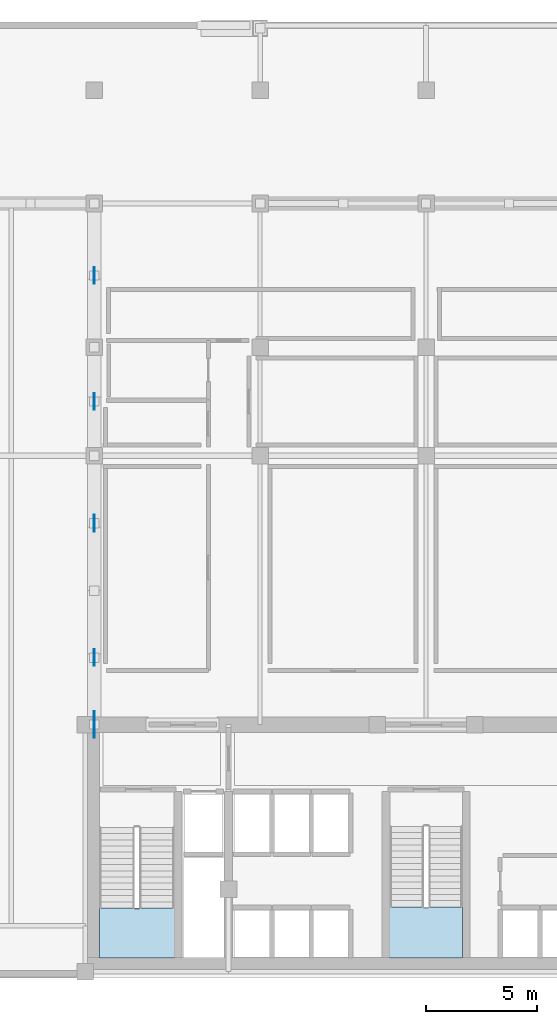
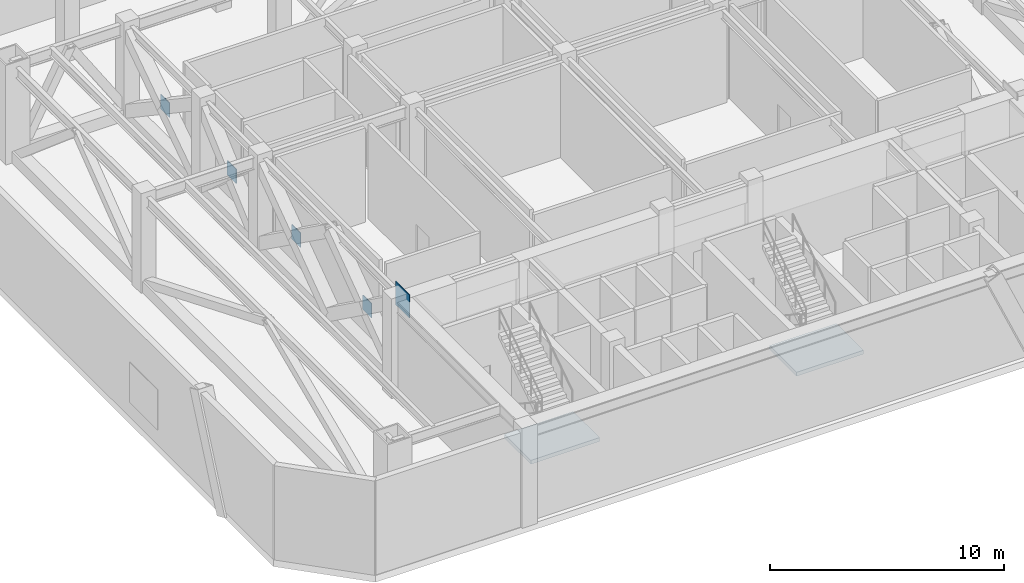
# One storey, part 3 of 10: 5 plates, 2 slabs, 2 elements without a shape of their own.
"""IFC4 building model written with IfcOpenShell, lengths in metres."""

import ifcopenshell
import ifcopenshell.guid

model = None  # the IFC model being written
_history = None  # IfcOwnerHistory: only IFC2X3 demands one
_inside = {}  # id of a spatial element -> (the spatial element, [elements in it])
_under = {}  # id of a project, library or spatial element -> (it, [spatial elements below it])
_declared = {}  # id of a project -> (the project, [libraries it declares])
_typed = {}  # id of a type object -> (the type object, [elements of that type])
_made_of = {}  # id of a material, layer set ... -> (it, [elements and type objects made of it])


def new_model(schema):
    """Start an empty IFC model of exactly this schema.

    Asked for "IFC4X3", IfcOpenShell would pick the latest addendum, in which some entities
    have other attributes; the version numbers below select the first issue.
    IFC2X3 requires an IfcOwnerHistory on every rooted entity: one is made here for all.
    """
    global model, _history
    if schema == "IFC4X3":
        model = ifcopenshell.file(schema_version=(4, 3, 0, 0))
    else:
        model = ifcopenshell.file(schema=schema)
    _inside.clear()
    _under.clear()
    _declared.clear()
    _typed.clear()
    _made_of.clear()
    _history = None
    if model.schema == "IFC2X3":
        org = make("IfcOrganization", Name="unknown")
        user = make(
            "IfcPersonAndOrganization",
            ThePerson=make("IfcPerson", FamilyName="unknown"),
            TheOrganization=org,
        )
        app = make(
            "IfcApplication",
            ApplicationDeveloper=org,
            Version="unknown",
            ApplicationFullName="unknown",
            ApplicationIdentifier="unknown",
        )
        _history = make(
            "IfcOwnerHistory",
            OwningUser=user,
            OwningApplication=app,
            ChangeAction="ADDED",
            CreationDate=0,
        )
    return model


def make(cls, **values):
    """One entity of the class cls with the attributes given. An attribute that is None is left unset."""
    return model.create_entity(
        cls, **{name: value for name, value in values.items() if value is not None}
    )


def rooted(cls, **values):
    """An entity with a GlobalId (a new one), such as an element, a storey or a relation."""
    return make(cls, GlobalId=ifcopenshell.guid.new(), OwnerHistory=_history, **values)


def si_unit(unit_type, name, prefix=None):
    """IfcSIUnit, for example si_unit("LENGTHUNIT", "METRE", prefix="MILLI")."""
    return make("IfcSIUnit", UnitType=unit_type, Prefix=prefix, Name=name)


def assignment(units):
    """IfcUnitAssignment: the units of a project."""
    return None if units is None else make("IfcUnitAssignment", Units=units)


def point(xyz):
    """IfcCartesianPoint."""
    return None if xyz is None else make("IfcCartesianPoint", Coordinates=xyz)


def direction(xyz):
    """IfcDirection."""
    return None if xyz is None else make("IfcDirection", DirectionRatios=xyz)


def frame(location, z_axis=None, x_axis=None):
    """IfcAxis2Placement3D, a coordinate frame: its origin and axes. An axis left out is left unset."""
    return make(
        "IfcAxis2Placement3D",
        Location=point(location),
        Axis=direction(z_axis),
        RefDirection=direction(x_axis),
    )


def frame_2d(location, x_axis=None):
    """IfcAxis2Placement2D, a coordinate frame in the plane: its origin and x axis."""
    return make(
        "IfcAxis2Placement2D", Location=point(location), RefDirection=direction(x_axis)
    )


def origin():
    """The frame at (0, 0, 0) with its axes left unset."""
    return frame((0.0, 0.0, 0.0))


def origin_2d():
    """The frame at (0, 0) in the plane with its x axis left unset."""
    return frame_2d((0.0, 0.0))


def place(relative_to, where):
    """IfcLocalPlacement: puts the frame where relative to a parent placement (None: the world)."""
    return make(
        "IfcLocalPlacement", PlacementRelTo=relative_to, RelativePlacement=where
    )


def context(
    kind, dimensions, precision=None, world=None, true_north=None, identifier=None
):
    """IfcGeometricRepresentationContext, for example the 3D "Model" context."""
    return make(
        "IfcGeometricRepresentationContext",
        ContextIdentifier=identifier,
        ContextType=kind,
        CoordinateSpaceDimension=dimensions,
        Precision=precision,
        WorldCoordinateSystem=world,
        TrueNorth=true_north,
    )


def subcontext(parent, identifier, kind, view, scale=None):
    """IfcGeometricRepresentationSubContext, for example "Body" below "Model"."""
    return make(
        "IfcGeometricRepresentationSubContext",
        ContextIdentifier=identifier,
        ContextType=kind,
        ParentContext=parent,
        TargetScale=scale,
        TargetView=view,
    )


def project(units=None, contexts=None):
    """IfcProject with its units and contexts."""
    return rooted(
        "IfcProject",
        Name="project",
        RepresentationContexts=contexts,
        UnitsInContext=assignment(units),
    )


def spatial(cls, under=None, at=None, **own):
    """A site, building, storey or space (cls), placed at a placement, below another one or the project."""
    s = rooted(cls, ObjectPlacement=at, **own)
    if under is not None:
        _under.setdefault(under.id(), (under, []))[1].append(s)
    return s


def polyline(points):
    """IfcPolyline through the points."""
    return make("IfcPolyline", Points=[point(p) for p in points])


def profile(cls, at=None, kind="AREA", **sizes):
    """A parametric profile (cls). Its sizes go by their IFC names, for example OverallWidth=200.0."""
    return make(cls, ProfileType=kind, Position=at, **sizes)


def rectangle(**sizes):
    """IfcRectangleProfileDef."""
    return profile("IfcRectangleProfileDef", **sizes)


def outline(outer, holes=None, kind="AREA"):
    """IfcArbitraryClosedProfileDef: a profile drawn as a closed curve; with holes, ...WithVoids."""
    if holes is None:
        return make("IfcArbitraryClosedProfileDef", ProfileType=kind, OuterCurve=outer)
    return make(
        "IfcArbitraryProfileDefWithVoids",
        ProfileType=kind,
        OuterCurve=outer,
        InnerCurves=holes,
    )


def extrude(swept, where, along, depth):
    """IfcExtrudedAreaSolid: the profile swept, set in the frame where, extruded along a direction by depth."""
    return make(
        "IfcExtrudedAreaSolid",
        SweptArea=swept,
        Position=where,
        ExtrudedDirection=direction(along),
        Depth=depth,
    )


def shape(context_of_items, identifier, shape_type, items):
    """IfcShapeRepresentation: the items that make up one representation, for example the "Body"."""
    return make(
        "IfcShapeRepresentation",
        ContextOfItems=context_of_items,
        RepresentationIdentifier=identifier,
        RepresentationType=shape_type,
        Items=items,
    )


def material(Name=None, Category=None):
    """IfcMaterial."""
    return make("IfcMaterial", Name=Name, Category=Category)


def layer(
    of_material, thickness, ventilated=None, Name=None, Category=None, Priority=None
):
    """IfcMaterialLayer: one layer of a wall or slab, of a material (None: an air gap)."""
    return make(
        "IfcMaterialLayer",
        Material=of_material,
        LayerThickness=thickness,
        IsVentilated=ventilated,
        Name=Name,
        Category=Category,
        Priority=Priority,
    )


def layer_set(layers, Name=None):
    """IfcMaterialLayerSet."""
    return make("IfcMaterialLayerSet", MaterialLayers=layers, LayerSetName=Name)


def made_of(thing, what):
    """Note that an element or type object is made of a material, layer set ...; save() writes the relation."""
    if what is not None:
        _made_of.setdefault(what.id(), (what, []))[1].append(thing)
    return thing


def type_object(cls, material=None, **own):
    """A type object (cls), such as IfcWallType, which elements share."""
    return made_of(rooted(cls, **own), material)


def element(
    cls,
    number,
    at=None,
    inside=None,
    cuts=None,
    type_object=None,
    material=None,
    context=None,
    identifier="Body",
    shape_type=None,
    held_by="IfcProductDefinitionShape",
    body=None,
    shapes=None,
    **own,
):
    """One element of the class cls, such as IfcWall. Its Tag is "e" and its number.

    at: its placement. inside: the storey or other place that contains it. cuts: it is an
    opening in that element (IfcRelVoidsElement). A single representation is given by context,
    identifier, shape_type and body (its items); several are given by shapes. held_by: the class
    of the entity that holds the representations. save() writes the other relations.
    """
    e = rooted(cls, Tag="e%d" % number, ObjectPlacement=at, **own)
    if body is not None:
        shapes = [shape(context, identifier, shape_type, body)]
    if shapes is not None:
        e.Representation = make(held_by, Representations=shapes)
    if inside is not None:
        _inside.setdefault(inside.id(), (inside, []))[1].append(e)
    if cuts is not None:
        rooted(
            "IfcRelVoidsElement", RelatingBuildingElement=cuts, RelatedOpeningElement=e
        )
    if type_object is not None:
        _typed.setdefault(type_object.id(), (type_object, []))[1].append(e)
    return made_of(e, material)


def aggregate(whole, parts):
    """IfcRelAggregates: a whole, such as a stair, and the parts it consists of."""
    return rooted("IfcRelAggregates", RelatingObject=whole, RelatedObjects=parts)


def save(model, path):
    """Write the relations noted so far, then the file.

    IfcRelAggregates (storeys below a building ...), IfcRelContainedInSpatialStructure (elements
    in a storey), IfcRelDefinesByType, IfcRelAssociatesMaterial and IfcRelDeclares: one each for
    every whole, place, type object, material and project.
    """
    for whole, parts in _under.values():
        aggregate(whole, parts)
    for where, things in _inside.values():
        rooted(
            "IfcRelContainedInSpatialStructure",
            RelatedElements=things,
            RelatingStructure=where,
        )
    for kind, things in _typed.values():
        rooted("IfcRelDefinesByType", RelatedObjects=things, RelatingType=kind)
    for what, things in _made_of.values():
        rooted("IfcRelAssociatesMaterial", RelatedObjects=things, RelatingMaterial=what)
    for by, libraries in _declared.values():
        rooted("IfcRelDeclares", RelatingContext=by, RelatedDefinitions=libraries)
    model.write(path)


model = new_model("IFC4")

# Units and contexts
model_context = context("Model", 3, precision=1e-05, world=origin(), true_north=direction((0.0, 1.0)))
body_context = subcontext(model_context, "Body", "Model", "MODEL_VIEW")
ifc_project = project(units=[si_unit("LENGTHUNIT", "METRE"), si_unit("AREAUNIT", "SQUARE_METRE"), si_unit("VOLUMEUNIT", "CUBIC_METRE"), si_unit("PLANEANGLEUNIT", "RADIAN"), si_unit("MASSUNIT", "GRAM", prefix="KILO")], contexts=[model_context])

# Site, building, storey
site_placement = place(None, origin())
site = spatial("IfcSite", under=ifc_project, at=site_placement, CompositionType="ELEMENT")
building_placement = place(site_placement, origin())
building = spatial("IfcBuilding", under=site, at=building_placement, Name="Ventersveld Concourse Tower", CompositionType="ELEMENT")
storey_placement = place(building_placement, frame((0.0, 0.0, 134.949951171875)))
storey = spatial("IfcBuildingStorey", under=building, at=storey_placement, Name="L33", CompositionType="ELEMENT", Elevation=134.949951171875)

# Plates
ifc_material_1 = material(Name="Structural steel S355J2", Category="steel")
ifc_layer_1 = layer(ifc_material_1, 0.0400390625)
ifc_layer_set_1 = layer_set([ifc_layer_1], Name="Structural steel S355J2")
plate_type = type_object("IfcPlateType", Name="PL-GUSSET-40", PredefinedType="USERDEFINED", material=ifc_layer_set_1)
for number, where, z_axis, x_axis, name in (
    (1, (13.75, 14.47509765625, 2.110107421875), (0.0, 0.0, 1.0), (1.0, 0.0, 0.0), "L33 Outrigger X-Crossing Gusset Plate W-1"),
    (2, (13.75, 20.550048828125, 2.110107421875), (0.0, 0.0, 1.0), (1.0, 0.0, 0.0), "L33 Outrigger X-Crossing Gusset Plate W-2"),
    (3, (13.75, 26.050048828125, 2.110107421875), (0.0, 0.0, 1.0), (1.0, 0.0, 0.0), "L33 Outrigger X-Crossing Gusset Plate W-3"),
    (4, (13.75, 31.75, 2.110107421875), (0.0, 0.0, 1.0), (1.0, 0.0, 0.0), "L33 Outrigger X-Crossing Gusset Plate W-4"),
):
    element("IfcPlate", number, at=place(storey_placement, frame(where, z_axis=z_axis, x_axis=x_axis)), inside=storey, type_object=plate_type, Name=name, ObjectType="GUSSET_PLATE", PredefinedType="USERDEFINED", context=body_context, shape_type="SweptSolid", body=[
        extrude(rectangle(XDim=0.0400390625, YDim=0.75, at=origin_2d()), origin(), (0.0, 0.0, 1.0), 0.75),
    ])
plate_placement = place(storey_placement, frame((13.75, 11.449951171875, 4.0703125), z_axis=(0.0, 0.0, 1.0), x_axis=(1.0, 0.0, 0.0)))
element("IfcPlate", 5, at=plate_placement, inside=storey, type_object=plate_type, Name="L33 Outrigger Core Gusset Node Plate W", ObjectType="GUSSET_PLATE", PredefinedType="USERDEFINED", context=body_context, shape_type="SweptSolid", body=[
    extrude(rectangle(XDim=0.0400390625, YDim=1.199951171875, at=origin_2d()), origin(), (0.0, 0.0, 1.0), 1.199951171875),
])

# Stair, slab
ifc_material_2 = material(Name="Concrete C50/60", Category="concrete")
stair_type_1 = type_object("IfcStairType", Name="ST-DOG-160", PredefinedType="HALF_TURN_STAIR", material=ifc_material_2)
stair_1_placement = place(storey_placement, origin())
stair_1 = element("IfcStair", 6, at=stair_1_placement, inside=storey, type_object=stair_type_1, Name="L33 Protected Tower Escape Stair ST-01", PredefinedType="HALF_TURN_STAIR")
ifc_layer_2 = layer(ifc_material_2, 0.199951171875)
ifc_layer_set_2 = layer_set([ifc_layer_2], Name="Concrete C50/60")
slab_type = type_object("IfcSlabType", Name="SL-LND-200", PredefinedType="LANDING", material=ifc_layer_set_2)
slab_1_placement = place(storey_placement, frame((0.0, 0.0, 2.400146484375)))
slab_1 = element("IfcSlab", 7, at=slab_1_placement, type_object=slab_type, Name="ST-01 landing 1", PredefinedType="LANDING", context=body_context, shape_type="SweptSolid", body=[
    extrude(outline(polyline([(13.97998046875, 3.159912109375), (13.97998046875, 0.89990234375), (17.3798828125, 0.89990234375), (17.3798828125, 3.159912109375), (13.97998046875, 3.159912109375)])), origin(), (0.0, 0.0, 1.0), 0.199951171875),
])
aggregate(stair_1, [slab_1])

stair_type_2 = type_object("IfcStairType", Name="ST-DOG-155", PredefinedType="HALF_TURN_STAIR", material=ifc_material_2)
stair_2_placement = place(storey_placement, origin())
stair_2 = element("IfcStair", 8, at=stair_2_placement, inside=storey, type_object=stair_type_2, Name="L33 Protected Central Core Escape Stair ST-03", PredefinedType="HALF_TURN_STAIR")
slab_2_placement = place(storey_placement, frame((0.0, 0.0, 2.400146484375)))
slab_2 = element("IfcSlab", 9, at=slab_2_placement, type_object=slab_type, Name="ST-03 landing 1", PredefinedType="LANDING", context=body_context, shape_type="SweptSolid", body=[
    extrude(outline(polyline([(27.10009765625, 3.2099609375), (27.10009765625, 0.89990234375), (30.39990234375, 0.89990234375), (30.39990234375, 3.2099609375), (27.10009765625, 3.2099609375)])), origin(), (0.0, 0.0, 1.0), 0.199951171875),
])
aggregate(stair_2, [slab_2])

save(model, "model.ifc")
